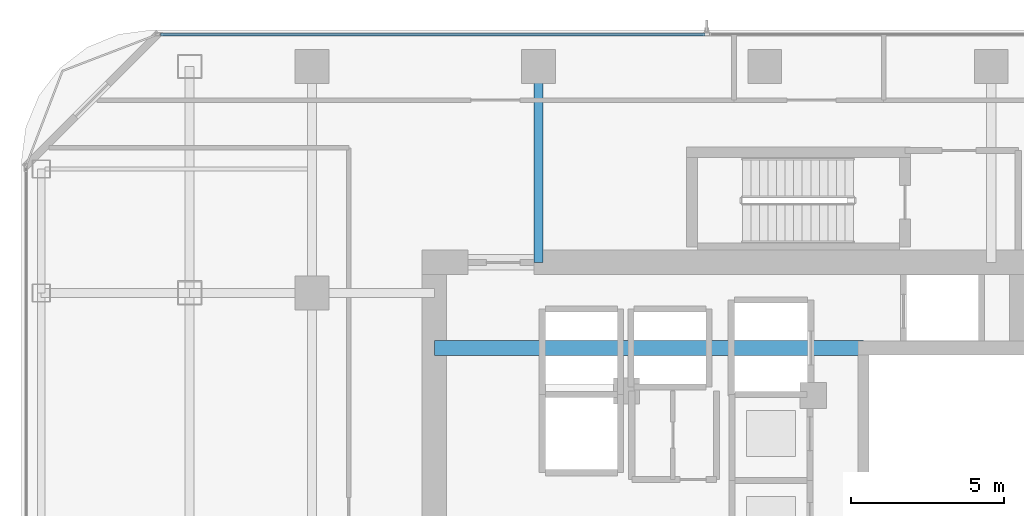
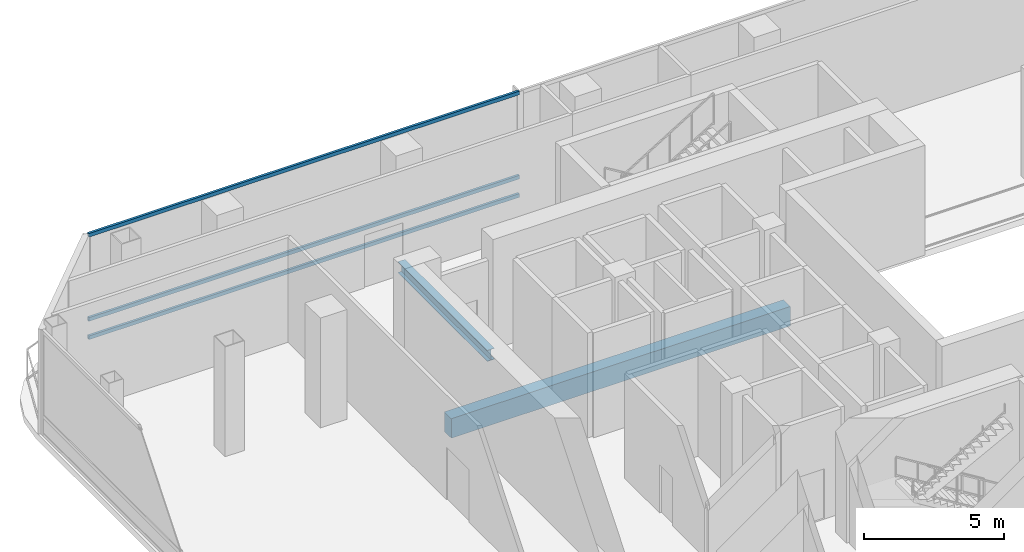
# One storey, part 12 of 22: 3 members, 2 beams, 1 element without a shape of its own.
"""IFC4 building model written with IfcOpenShell, lengths in metres."""

from ifc_helpers import new_model, si_unit, direction, frame, origin, origin_2d, place, context, subcontext, project, spatial, rectangle, hollow_rectangle, i_section, extrude, material, layer, layer_set, material_profile, profile_set, type_object, element, aggregate, save


model = new_model("IFC4")

# Units and contexts
model_context = context("Model", 3, precision=1e-05, world=origin(), true_north=direction((0.0, 1.0)))
body_context = subcontext(model_context, "Body", "Model", "MODEL_VIEW")
ifc_project = project(units=[si_unit("LENGTHUNIT", "METRE"), si_unit("AREAUNIT", "SQUARE_METRE"), si_unit("VOLUMEUNIT", "CUBIC_METRE"), si_unit("PLANEANGLEUNIT", "RADIAN"), si_unit("MASSUNIT", "GRAM", prefix="KILO")], contexts=[model_context])

# Site, building, storey
site_placement = place(None, origin())
site = spatial("IfcSite", under=ifc_project, at=site_placement, CompositionType="ELEMENT")
building_placement = place(site_placement, origin())
building = spatial("IfcBuilding", under=site, at=building_placement, Name="Khorvyn Point Tower", CompositionType="ELEMENT")
storey_placement = place(building_placement, frame((0.0, 0.0, 210.89990234375)))
storey = spatial("IfcBuildingStorey", under=building, at=storey_placement, Name="L52", CompositionType="ELEMENT", Elevation=210.89990234375)

# Curtain wall, members
ifc_material_1 = material(Name="Anodised aluminium 6063-T6 and laminated Low-E glass", Category="aluminium")
ifc_layer = layer(ifc_material_1, 0.18994140625)
ifc_layer_set = layer_set([ifc_layer], Name="Stick-Built Sky-Lobby Curtain Wall CW-SYS-05")
curtain_wall_type = type_object("IfcCurtainWallType", Name="Stick-Built Sky-Lobby Curtain Wall CW-SYS-05", PredefinedType="NOTDEFINED", material=ifc_layer_set)
curtain_wall_placement = place(storey_placement, origin())
curtain_wall = element("IfcCurtainWall", 1, at=curtain_wall_placement, inside=storey, type_object=curtain_wall_type, Name="Curtain Wall", PredefinedType="NOTDEFINED")
ifc_material_2 = material(Name="Anodised aluminium 6063-T6", Category="aluminium")
ifc_material_profile_1 = material_profile(ifc_material_2, hollow_rectangle(XDim=0.10009765625, YDim=0.159912109375, WallThickness=0.00439453125, at=origin_2d()))
ifc_profile_set_1 = profile_set([ifc_material_profile_1], Name="Anodised aluminium 6063-T6 ALU-TRN-100x160")
member_type = type_object("IfcMemberType", Name="Anodised Aluminium 6063-T6 Transom ALU-TRN-100x160", PredefinedType="USERDEFINED", material=ifc_profile_set_1)
member_1_placement = place(storey_placement, frame((-19.75, 15.85009765625, 0.050048828125), z_axis=(1.0, 0.0, 0.0), x_axis=(0.0, 1.0, 0.0)))
member_1 = element("IfcMember", 2, at=member_1_placement, type_object=member_type, Name="Transom", ObjectType="TRANSOM", PredefinedType="USERDEFINED", context=body_context, shape_type="SweptSolid", body=[
    extrude(hollow_rectangle(XDim=0.10009765625, YDim=0.159912109375, WallThickness=0.00439453125, at=origin_2d()), origin(), (0.0, 0.0, 1.0), 17.800048828125),
])
member_2_placement = place(storey_placement, frame((-19.75, 15.85009765625, 0.85009765625), z_axis=(1.0, 0.0, 0.0), x_axis=(0.0, 1.0, 0.0)))
member_2 = element("IfcMember", 3, at=member_2_placement, type_object=member_type, Name="Transom", ObjectType="TRANSOM", PredefinedType="USERDEFINED", context=body_context, shape_type="SweptSolid", body=[
    extrude(hollow_rectangle(XDim=0.10009765625, YDim=0.159912109375, WallThickness=0.00439453125, at=origin_2d()), origin(), (0.0, 0.0, 1.0), 17.800048828125),
])
member_3_placement = place(storey_placement, frame((-19.75, 15.85009765625, 4.530029296875), z_axis=(1.0, 0.0, 0.0), x_axis=(0.0, 1.0, 0.0)))
member_3 = element("IfcMember", 4, at=member_3_placement, type_object=member_type, Name="Transom", ObjectType="TRANSOM", PredefinedType="USERDEFINED", context=body_context, shape_type="SweptSolid", body=[
    extrude(hollow_rectangle(XDim=0.10009765625, YDim=0.159912109375, WallThickness=0.00439453125, at=origin_2d()), origin(), (0.0, 0.0, 1.0), 17.800048828125),
])
aggregate(curtain_wall, [member_1, member_2, member_3])

# Beams
ifc_material_3 = material(Name="Concrete C45/55", Category="concrete")
ifc_material_profile_2 = material_profile(ifc_material_3, rectangle(XDim=0.5, YDim=0.85009765625, at=origin_2d()))
ifc_profile_set_2 = profile_set([ifc_material_profile_2], Name="Concrete C45/55 RC500x850")
beam_type_1 = type_object("IfcBeamType", Name="Concrete C45/55 Beam RC500x850", PredefinedType="BEAM", material=ifc_profile_set_2)
beam_1_placement = place(storey_placement, frame((-10.800048828125, 5.60009765625, -0.704833984375), z_axis=(1.0, 0.0, 0.0), x_axis=(0.0, 1.0, 0.0)))
element("IfcBeam", 5, at=beam_1_placement, inside=storey, type_object=beam_type_1, Name="L52 Core Internal Tie Girder N", PredefinedType="BEAM", context=body_context, shape_type="SweptSolid", body=[
    extrude(rectangle(XDim=0.5, YDim=0.85009765625, at=origin_2d()), origin(), (0.0, 0.0, 1.0), 14.02001953125),
])
ifc_material_4 = material(Name="Steel S355", Category="steel")
ifc_material_profile_3 = material_profile(ifc_material_4, i_section(OverallWidth=0.300048828125, OverallDepth=0.488037109375, WebThickness=0.010986328125, FlangeThickness=0.01806640625, at=origin_2d()))
ifc_profile_set_3 = profile_set([ifc_material_profile_3], Name="Steel S355 H488x300x11x18")
beam_type_2 = type_object("IfcBeamType", Name="Steel S355 Spandrel H488x300x11x18", PredefinedType="SPANDREL", material=ifc_profile_set_3)
beam_2_placement = place(storey_placement, frame((-7.39990234375, 8.39990234375, -0.52392578125), z_axis=(0.0, 1.0, 0.0), x_axis=(-1.0, 0.0, 0.0)))
element("IfcBeam", 6, at=beam_2_placement, inside=storey, type_object=beam_type_2, Name="Beam", PredefinedType="SPANDREL", context=body_context, shape_type="SweptSolid", body=[
    extrude(i_section(OverallWidth=0.300048828125, OverallDepth=0.488037109375, WebThickness=0.010986328125, FlangeThickness=0.01806640625, at=origin_2d()), origin(), (0.0, 0.0, 1.0), 6.400146484375),
])

save(model, "model.ifc")
